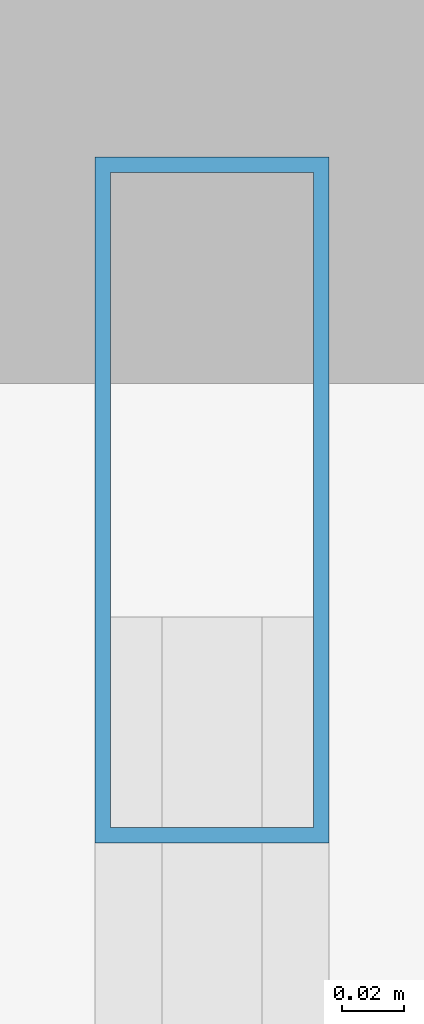
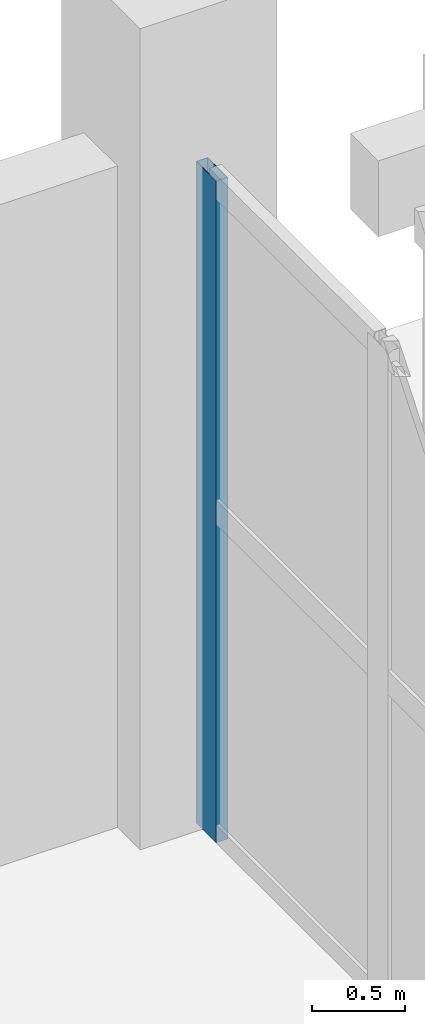
# One storey, part 40 of 98: 1 member, 1 element without a shape of its own.
"""IFC4 building model written with IfcOpenShell, lengths in metres."""

from ifc_helpers import new_model, si_unit, direction, frame, origin, origin_2d, place, context, subcontext, project, spatial, hollow_rectangle, extrude, material, layer, layer_set, material_profile, profile_set, type_object, element, aggregate, save


model = new_model("IFC4")

# Units and contexts
model_context = context("Model", 3, precision=1e-05, world=origin(), true_north=direction((0.0, 1.0)))
body_context = subcontext(model_context, "Body", "Model", "MODEL_VIEW")
ifc_project = project(units=[si_unit("LENGTHUNIT", "METRE"), si_unit("AREAUNIT", "SQUARE_METRE"), si_unit("VOLUMEUNIT", "CUBIC_METRE"), si_unit("PLANEANGLEUNIT", "RADIAN"), si_unit("MASSUNIT", "GRAM", prefix="KILO")], contexts=[model_context])

# Site, building, storey
site_placement = place(None, origin())
site = spatial("IfcSite", under=ifc_project, at=site_placement, CompositionType="ELEMENT")
building_placement = place(site_placement, origin())
building = spatial("IfcBuilding", under=site, at=building_placement, Name="Xazarin Passage Department Store", CompositionType="ELEMENT")
storey_placement = place(building_placement, origin())
storey = spatial("IfcBuildingStorey", under=building, at=storey_placement, Name="L00", CompositionType="ELEMENT", Elevation=0.0)

# Curtain wall, member
ifc_material = material(Name="Bronze anodised aluminium", Category="aluminium")
ifc_layer = layer(ifc_material, 0.179931640625)
ifc_layer_set = layer_set([ifc_layer], Name="Bronze anodised aluminium")
curtain_wall_type = type_object("IfcCurtainWallType", Name="ARC-CW-VIT1", PredefinedType="NOTDEFINED", material=ifc_layer_set)
curtain_wall_placement = place(storey_placement, origin())
curtain_wall = element("IfcCurtainWall", 1, at=curtain_wall_placement, inside=storey, type_object=curtain_wall_type, Name="L00 V1 Curtain Wall 007", PredefinedType="NOTDEFINED")
ifc_material_profile = material_profile(ifc_material, hollow_rectangle(XDim=0.074951171875, YDim=0.219970703125, WallThickness=0.0048828125, at=origin_2d()), Name="ALU 75x220")
ifc_profile_set = profile_set([ifc_material_profile], Name="Bronze anodised aluminium")
member_type = type_object("IfcMemberType", Name="ARC-CWM-75x220", PredefinedType="MULLION", material=ifc_profile_set)
member_placement = place(storey_placement, frame((50.39990234375, 109.53759765625, 0.0), z_axis=(0.0, 0.0, 1.0), x_axis=(-1.0, 0.0, 0.0)))
member = element("IfcMember", 2, at=member_placement, type_object=member_type, Name="CW1 mullion 5", PredefinedType="MULLION", context=body_context, shape_type="SweptSolid", body=[
    extrude(hollow_rectangle(XDim=0.074951171875, YDim=0.219970703125, WallThickness=0.0048828125, at=origin_2d()), origin(), (0.0, 0.0, 1.0), 4.35009765625),
])
aggregate(curtain_wall, [member])

save(model, "model.ifc")
